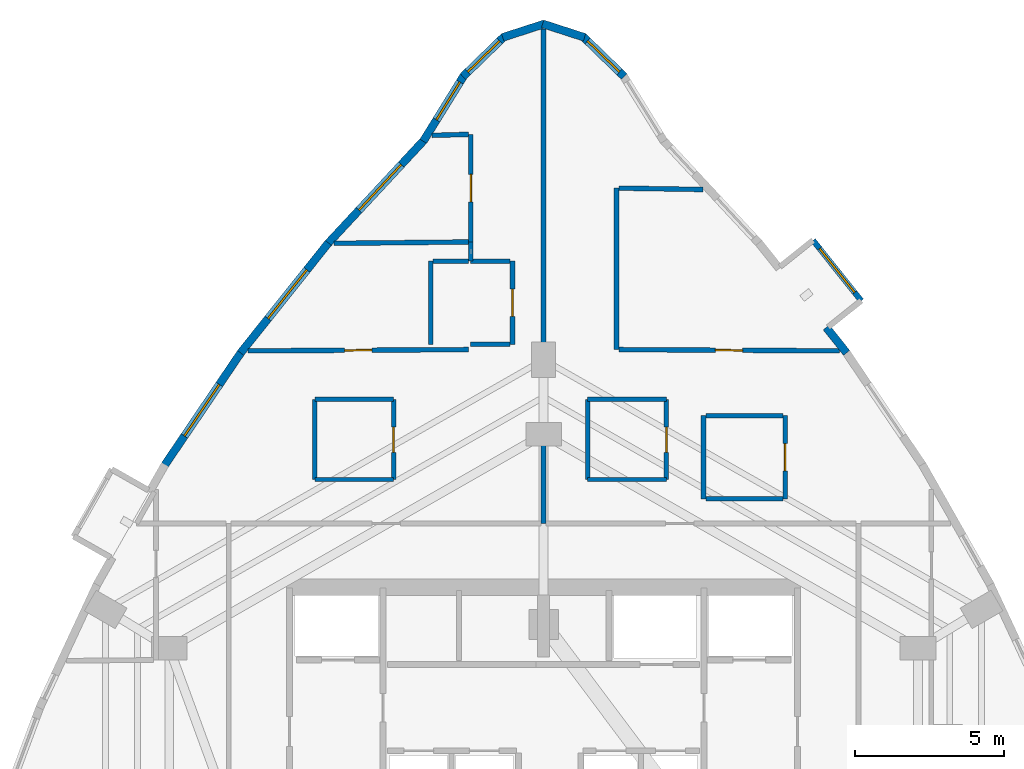
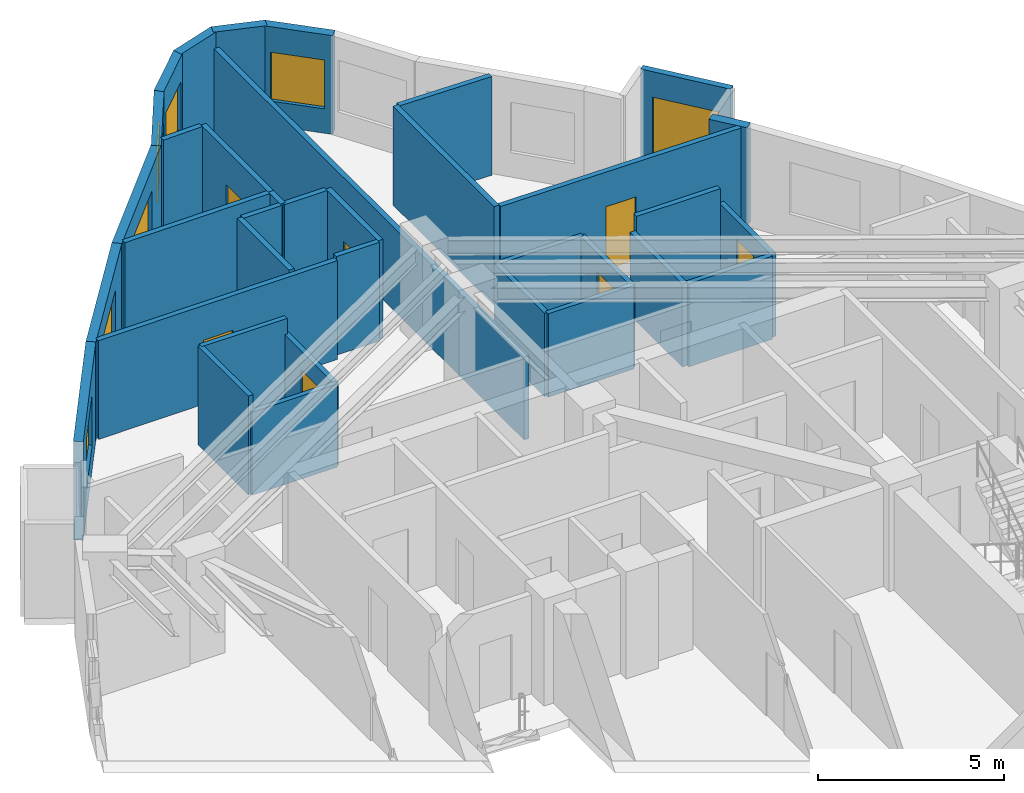
# One storey, part 10 of 12: 36 walls, 7 doors, 7 windows, 14 openings.
"""IFC4 building model written with IfcOpenShell, lengths in metres."""

from ifc_helpers import new_model, si_unit, direction, frame, frame_2d, origin, place, context, subcontext, project, spatial, rectangle, extrude, material, layer, layer_set, type_object, element, fill, save


model = new_model("IFC4")

# Units and contexts
model_context = context("Model", 3, precision=1e-05, world=origin(), true_north=direction((0.0, 1.0)))
body_context = subcontext(model_context, "Body", "Model", "MODEL_VIEW")
ifc_project = project(units=[si_unit("LENGTHUNIT", "METRE"), si_unit("AREAUNIT", "SQUARE_METRE"), si_unit("VOLUMEUNIT", "CUBIC_METRE"), si_unit("PLANEANGLEUNIT", "RADIAN"), si_unit("MASSUNIT", "GRAM", prefix="KILO")], contexts=[model_context])

# Site, building, storey
site_placement = place(None, origin())
site = spatial("IfcSite", under=ifc_project, at=site_placement, CompositionType="ELEMENT")
building_placement = place(site_placement, origin())
building = spatial("IfcBuilding", under=site, at=building_placement, Name="Miruveldt Soraemaru", CompositionType="ELEMENT")
storey_placement = place(building_placement, frame((0.0, 0.0, 110.89990234375)))
storey = spatial("IfcBuildingStorey", under=building, at=storey_placement, Name="L30", CompositionType="ELEMENT", Elevation=110.89990234375)

# Wall, opening, window
ifc_material_1 = material(Name="White powder-coated aluminium EN AW-6060 T6", Category="aluminium")
ifc_layer_1 = layer(ifc_material_1, 0.18994140625, Name="White powder-coated aluminium EN AW-6060 T6", Category="aluminium")
ifc_layer_set_1 = layer_set([ifc_layer_1], Name="White powder-coated aluminium EN AW-6060 T6")
wall_type_1 = type_object("IfcWallType", Name="WALL-BAY-ALU190", PredefinedType="SOLIDWALL", material=ifc_layer_set_1)
wall_1_placement = place(storey_placement, frame((54.690673828125, 62.099365234375, 0.0), z_axis=(0.0, 0.0, 1.0), x_axis=(-0.623606546405, 0.781738367538, 0.0)))
wall_1 = element("IfcWall", 1, at=wall_1_placement, inside=storey, type_object=wall_type_1, Name="L30 Bay Window Front Frame 3", PredefinedType="SOLIDWALL", context=body_context, shape_type="SweptSolid", body=[
    extrude(rectangle(XDim=2.599853515625, YDim=0.18994140625, at=frame_2d((1.2998046875, 0.0))), origin(), (0.0, 0.0, 1.0), 3.235107421875),
])
opening_1_placement = place(wall_1_placement, frame((0.35009765625, 0.0, 0.550048828125)))
opening_1 = element("IfcOpeningElement", 2, at=opening_1_placement, cuts=wall_1, Name="Opening WN-6", PredefinedType="OPENING", context=body_context, shape_type="SweptSolid", body=[
    extrude(rectangle(XDim=1.89990234375, YDim=1.85009765625, at=frame_2d((0.949951171875, 0.925048828125))), frame((0.0, 0.10498046875, 0.0), z_axis=(0.0, -1.0, 0.0), x_axis=(1.0, 0.0, 0.0)), (0.0, 0.0, 1.0), 0.2099609375),
])
ifc_material_2 = material(Name="Triple low-e insulated glazing", Category="glass")
window_type_1 = type_object("IfcWindowType", Name="WIN-BAYW-1900x1850", PartitioningType="SINGLE_PANEL", PredefinedType="WINDOW", material=ifc_material_2)
window_1_placement = place(opening_1_placement, origin())
window_1 = element("IfcWindow", 3, at=window_1_placement, inside=storey, type_object=window_type_1, Name="L30 Projecting Bay Window 3", OverallHeight=1.85009765625, OverallWidth=1.89990234375, PartitioningType="SINGLE_PANEL", PredefinedType="WINDOW", context=body_context, shape_type="SweptSolid", body=[
    extrude(rectangle(XDim=1.89990234375, YDim=1.85009765625, at=frame_2d((0.949951171875, 0.925048828125))), frame((0.0, 0.030029296875, 0.0), z_axis=(0.0, -1.0, 0.0), x_axis=(1.0, 0.0, 0.0)), (0.0, 0.0, 1.0), 0.06005859375),
])
fill(opening_1, window_1)

ifc_material_3 = material(Name="Precast concrete C45/55 (45 MPa)", Category="concrete")
ifc_layer_2 = layer(ifc_material_3, 0.27001953125, Name="Precast concrete C45/55 (45 MPa)", Category="concrete")
ifc_layer_set_2 = layer_set([ifc_layer_2], Name="Precast concrete C45/55 (45 MPa)")
wall_type_2 = type_object("IfcWallType", Name="WALL-EXT-PC270", PredefinedType="SOLIDWALL", material=ifc_layer_set_2)
wall_2_placement = place(storey_placement, frame((46.714111328125, 69.644775390625, 0.0), z_axis=(0.0, 0.0, 1.0), x_axis=(-0.717829983795, 0.696218438685, 0.0)))
wall_2 = element("IfcWall", 4, at=wall_2_placement, inside=storey, type_object=wall_type_2, Name="L30 Precast Concrete Facade Wall 2", PredefinedType="SOLIDWALL", context=body_context, shape_type="SweptSolid", body=[
    extrude(rectangle(XDim=1.943115234375, YDim=0.27001953125, at=frame_2d((0.9716796875, 0.0))), origin(), (0.0, 0.0, 1.0), 3.235107421875),
])
opening_2_placement = place(wall_2_placement, frame((0.220947265625, 0.0, 0.800048828125)))
opening_2 = element("IfcOpeningElement", 5, at=opening_2_placement, cuts=wall_2, Name="Opening WN-3", PredefinedType="OPENING", context=body_context, shape_type="SweptSolid", body=[
    extrude(rectangle(XDim=1.5, YDim=1.60009765625, at=frame_2d((0.75, 0.800048828125))), frame((0.0, 0.14501953125, 0.0), z_axis=(0.0, -1.0, 0.0), x_axis=(1.0, 0.0, 0.0)), (0.0, 0.0, 1.0), 0.2900390625),
])
window_type_2 = type_object("IfcWindowType", Name="WIN-PUNCH-1500x1600", PartitioningType="SINGLE_PANEL", PredefinedType="WINDOW", material=ifc_material_2)
window_2_placement = place(opening_2_placement, origin())
window_2 = element("IfcWindow", 6, at=window_2_placement, inside=storey, type_object=window_type_2, Name="L30 Punched Triple-Glazed Window 02.1", OverallHeight=1.60009765625, OverallWidth=1.5, PartitioningType="SINGLE_PANEL", PredefinedType="WINDOW", context=body_context, shape_type="SweptSolid", body=[
    extrude(rectangle(XDim=1.5, YDim=1.60009765625, at=frame_2d((0.75, 0.800048828125))), frame((0.0, 0.030029296875, 0.0), z_axis=(0.0, -1.0, 0.0), x_axis=(1.0, 0.0, 0.0)), (0.0, 0.0, 1.0), 0.06005859375),
])
fill(opening_2, window_2)

# Walls
for number, where, z_axis, x_axis, name in (
    (7, (45.377685546875, 70.96240234375, 0.0), (0.0, 0.0, 1.0), (-0.951477132561, 0.307719460245, 0.0), "L30 Precast Concrete Facade Wall 3"),
    (8, (44.033203125, 71.418701171875, 0.0), (0.0, 0.0, 1.0), (-0.951477132561, -0.307719460245, 0.0), "L30 Precast Concrete Facade Wall 4"),
):
    element("IfcWall", number, at=place(storey_placement, frame(where, z_axis=z_axis, x_axis=x_axis)), inside=storey, type_object=wall_type_2, Name=name, PredefinedType="SOLIDWALL", context=body_context, shape_type="SweptSolid", body=[
        extrude(rectangle(XDim=1.48291015625, YDim=0.27001953125, at=frame_2d((0.741455078125, 0.0))), origin(), (0.0, 0.0, 1.0), 3.235107421875),
    ])

# Wall, opening, window
wall_3_placement = place(storey_placement, frame((42.6806640625, 70.99755859375, 0.0), z_axis=(0.0, 0.0, 1.0), x_axis=(-0.717829983795, -0.696218438685, 0.0)))
wall_3 = element("IfcWall", 9, at=wall_3_placement, inside=storey, type_object=wall_type_2, Name="L30 Precast Concrete Facade Wall 5", PredefinedType="SOLIDWALL", context=body_context, shape_type="SweptSolid", body=[
    extrude(rectangle(XDim=1.943115234375, YDim=0.27001953125, at=frame_2d((0.9716796875, 0.0))), origin(), (0.0, 0.0, 1.0), 3.235107421875),
])
opening_3_placement = place(wall_3_placement, frame((0.220947265625, 0.0, 0.800048828125)))
opening_3 = element("IfcOpeningElement", 10, at=opening_3_placement, cuts=wall_3, Name="Opening WN-3", PredefinedType="OPENING", context=body_context, shape_type="SweptSolid", body=[
    extrude(rectangle(XDim=1.5, YDim=1.60009765625, at=frame_2d((0.75, 0.800048828125))), frame((0.0, 0.14501953125, 0.0), z_axis=(0.0, -1.0, 0.0), x_axis=(1.0, 0.0, 0.0)), (0.0, 0.0, 1.0), 0.2900390625),
])
window_3_placement = place(opening_3_placement, origin())
window_3 = element("IfcWindow", 11, at=window_3_placement, inside=storey, type_object=window_type_2, Name="L30 Punched Triple-Glazed Window 05.1", OverallHeight=1.60009765625, OverallWidth=1.5, PartitioningType="SINGLE_PANEL", PredefinedType="WINDOW", context=body_context, shape_type="SweptSolid", body=[
    extrude(rectangle(XDim=1.5, YDim=1.60009765625, at=frame_2d((0.75, 0.800048828125))), frame((0.0, 0.030029296875, 0.0), z_axis=(0.0, -1.0, 0.0), x_axis=(1.0, 0.0, 0.0)), (0.0, 0.0, 1.0), 0.06005859375),
])
fill(opening_3, window_3)

wall_4_placement = place(storey_placement, frame((41.329345703125, 69.698974609375, 0.0), z_axis=(0.0, 0.0, 1.0), x_axis=(-0.525989656502, -0.850490964827, 0.0)))
wall_4 = element("IfcWall", 12, at=wall_4_placement, inside=storey, type_object=wall_type_2, Name="L30 Precast Concrete Facade Wall 6", PredefinedType="SOLIDWALL", context=body_context, shape_type="SweptSolid", body=[
    extrude(rectangle(XDim=2.625732421875, YDim=0.27001953125, at=frame_2d((1.31298828125, 0.0))), origin(), (0.0, 0.0, 1.0), 3.235107421875),
])
opening_4_placement = place(wall_4_placement, frame((0.280029296875, 0.0, 0.800048828125)))
opening_4 = element("IfcOpeningElement", 13, at=opening_4_placement, cuts=wall_4, Name="Opening WN-3", PredefinedType="OPENING", context=body_context, shape_type="SweptSolid", body=[
    extrude(rectangle(XDim=1.5, YDim=1.60009765625, at=frame_2d((0.75, 0.800048828125))), frame((0.0, 0.14501953125, 0.0), z_axis=(0.0, -1.0, 0.0), x_axis=(1.0, 0.0, 0.0)), (0.0, 0.0, 1.0), 0.2900390625),
])
window_4_placement = place(opening_4_placement, origin())
window_4 = element("IfcWindow", 14, at=window_4_placement, inside=storey, type_object=window_type_2, Name="L30 Punched Triple-Glazed Window 06.1", OverallHeight=1.60009765625, OverallWidth=1.5, PartitioningType="SINGLE_PANEL", PredefinedType="WINDOW", context=body_context, shape_type="SweptSolid", body=[
    extrude(rectangle(XDim=1.5, YDim=1.60009765625, at=frame_2d((0.75, 0.800048828125))), frame((0.0, 0.030029296875, 0.0), z_axis=(0.0, -1.0, 0.0), x_axis=(1.0, 0.0, 0.0)), (0.0, 0.0, 1.0), 0.06005859375),
])
fill(opening_4, window_4)

wall_5_placement = place(storey_placement, frame((39.990478515625, 67.521240234375, 0.0), z_axis=(0.0, 0.0, 1.0), x_axis=(-0.680886087192, -0.732389333803, 0.0)))
wall_5 = element("IfcWall", 15, at=wall_5_placement, inside=storey, type_object=wall_type_2, Name="L30 Precast Concrete Facade Wall 7", PredefinedType="SOLIDWALL", context=body_context, shape_type="SweptSolid", body=[
    extrude(rectangle(XDim=4.82080078125, YDim=0.27001953125, at=frame_2d((2.410400390625, 0.0))), origin(), (0.0, 0.0, 1.0), 3.235107421875),
])
opening_5_placement = place(wall_5_placement, frame((1.14404296875, 0.0, 0.800048828125)))
opening_5 = element("IfcOpeningElement", 16, at=opening_5_placement, cuts=wall_5, Name="Opening WN-1", PredefinedType="OPENING", context=body_context, shape_type="SweptSolid", body=[
    extrude(rectangle(XDim=2.10009765625, YDim=1.699951171875, at=frame_2d((1.050048828125, 0.85009765625))), frame((0.0, 0.14501953125, 0.0), z_axis=(0.0, -1.0, 0.0), x_axis=(1.0, 0.0, 0.0)), (0.0, 0.0, 1.0), 0.2900390625),
])
window_type_3 = type_object("IfcWindowType", Name="WIN-PUNCH-2100x1700", PartitioningType="SINGLE_PANEL", PredefinedType="WINDOW", material=ifc_material_2)
window_5_placement = place(opening_5_placement, origin())
window_5 = element("IfcWindow", 17, at=window_5_placement, inside=storey, type_object=window_type_3, Name="L30 Punched Triple-Glazed Window 07.1", OverallHeight=1.699951171875, OverallWidth=2.10009765625, PartitioningType="SINGLE_PANEL", PredefinedType="WINDOW", context=body_context, shape_type="SweptSolid", body=[
    extrude(rectangle(XDim=2.10009765625, YDim=1.699951171875, at=frame_2d((1.050048828125, 0.85009765625))), frame((0.0, 0.030029296875, 0.0), z_axis=(0.0, -1.0, 0.0), x_axis=(1.0, 0.0, 0.0)), (0.0, 0.0, 1.0), 0.06005859375),
])
fill(opening_5, window_5)

wall_6_placement = place(storey_placement, frame((36.753662109375, 64.043701171875, 0.0), z_axis=(0.0, 0.0, 1.0), x_axis=(-0.62358791195, -0.78175323221, 0.0)))
wall_6 = element("IfcWall", 18, at=wall_6_placement, inside=storey, type_object=wall_type_2, Name="L30 Precast Concrete Facade Wall 8", PredefinedType="SOLIDWALL", context=body_context, shape_type="SweptSolid", body=[
    extrude(rectangle(XDim=4.735595703125, YDim=0.27001953125, at=frame_2d((2.36767578125, 0.0))), origin(), (0.0, 0.0, 1.0), 3.235107421875),
])
opening_6_placement = place(wall_6_placement, frame((1.158935546875, 0.0, 0.800048828125)))
opening_6 = element("IfcOpeningElement", 19, at=opening_6_placement, cuts=wall_6, Name="Opening WN-1", PredefinedType="OPENING", context=body_context, shape_type="SweptSolid", body=[
    extrude(rectangle(XDim=2.10009765625, YDim=1.699951171875, at=frame_2d((1.050048828125, 0.85009765625))), frame((0.0, 0.14501953125, 0.0), z_axis=(0.0, -1.0, 0.0), x_axis=(1.0, 0.0, 0.0)), (0.0, 0.0, 1.0), 0.2900390625),
])
window_6_placement = place(opening_6_placement, origin())
window_6 = element("IfcWindow", 20, at=window_6_placement, inside=storey, type_object=window_type_3, Name="L30 Punched Triple-Glazed Window 08.1", OverallHeight=1.699951171875, OverallWidth=2.10009765625, PartitioningType="SINGLE_PANEL", PredefinedType="WINDOW", context=body_context, shape_type="SweptSolid", body=[
    extrude(rectangle(XDim=2.10009765625, YDim=1.699951171875, at=frame_2d((1.050048828125, 0.85009765625))), frame((0.0, 0.030029296875, 0.0), z_axis=(0.0, -1.0, 0.0), x_axis=(1.0, 0.0, 0.0)), (0.0, 0.0, 1.0), 0.06005859375),
])
fill(opening_6, window_6)

wall_7_placement = place(storey_placement, frame((33.841796875, 60.39794921875, 0.0), z_axis=(0.0, 0.0, 1.0), x_axis=(-0.560815831127, -0.827940579726, 0.0)))
wall_7 = element("IfcWall", 21, at=wall_7_placement, inside=storey, type_object=wall_type_2, Name="L30 Precast Concrete Facade Wall 9", PredefinedType="SOLIDWALL", context=body_context, shape_type="SweptSolid", body=[
    extrude(rectangle(XDim=4.677734375, YDim=0.27001953125, at=frame_2d((2.3388671875, 0.0))), origin(), (0.0, 0.0, 1.0), 3.235107421875),
])
opening_7_placement = place(wall_7_placement, frame((1.346923828125, 0.0, 0.800048828125)))
opening_7 = element("IfcOpeningElement", 22, at=opening_7_placement, cuts=wall_7, Name="Opening WN-1", PredefinedType="OPENING", context=body_context, shape_type="SweptSolid", body=[
    extrude(rectangle(XDim=2.10009765625, YDim=1.699951171875, at=frame_2d((1.050048828125, 0.85009765625))), frame((0.0, 0.14501953125, 0.0), z_axis=(0.0, -1.0, 0.0), x_axis=(1.0, 0.0, 0.0)), (0.0, 0.0, 1.0), 0.2900390625),
])
window_7_placement = place(opening_7_placement, origin())
window_7 = element("IfcWindow", 23, at=window_7_placement, inside=storey, type_object=window_type_3, Name="L30 Punched Triple-Glazed Window 09.1", OverallHeight=1.699951171875, OverallWidth=2.10009765625, PartitioningType="SINGLE_PANEL", PredefinedType="WINDOW", context=body_context, shape_type="SweptSolid", body=[
    extrude(rectangle(XDim=2.10009765625, YDim=1.699951171875, at=frame_2d((1.050048828125, 0.85009765625))), frame((0.0, 0.030029296875, 0.0), z_axis=(0.0, -1.0, 0.0), x_axis=(1.0, 0.0, 0.0)), (0.0, 0.0, 1.0), 0.06005859375),
])
fill(opening_7, window_7)

# Wall
wall_8_placement = place(storey_placement, frame((54.199462890625, 60.341552734375, 0.0), z_axis=(0.0, 0.0, 1.0), x_axis=(-0.623609566666, 0.781735958213, 0.0)))
element("IfcWall", 24, at=wall_8_placement, inside=storey, type_object=wall_type_2, Name="L30 Precast Pier Wall 41A", PredefinedType="SOLIDWALL", context=body_context, shape_type="SweptSolid", body=[
    extrude(rectangle(XDim=1.09765625, YDim=0.27001953125, at=frame_2d((0.548828125, 0.0))), origin(), (0.0, 0.0, 1.0), 3.235107421875),
])

# Wall, opening, door
ifc_material_4 = material(Name="Gypsum plasterboard lining", Category="gypsum")
ifc_layer_3 = layer(ifc_material_4, 0.14990234375, Name="Gypsum plasterboard lining", Category="gypsum")
ifc_layer_set_3 = layer_set([ifc_layer_3], Name="Gypsum plasterboard lining")
wall_type_3 = type_object("IfcWallType", Name="WALL-INT-PLUMB", PredefinedType="PLUMBINGWALL", material=ifc_layer_set_3)
wall_9_placement = place(storey_placement, frame((38.952880859375, 56.080078125, 0.0), z_axis=(0.0, 0.0, 1.0), x_axis=(0.0, 1.0, 0.0)))
wall_9 = element("IfcWall", 25, at=wall_9_placement, inside=storey, type_object=wall_type_3, Name="L30 Partition Wall 9", PredefinedType="PLUMBINGWALL", context=body_context, shape_type="SweptSolid", body=[
    extrude(rectangle(XDim=2.699951171875, YDim=0.14990234375, at=frame_2d((1.35009765625, 0.0))), origin(), (0.0, 0.0, 1.0), 2.72314453125),
])
opening_8_placement = place(wall_9_placement, frame((0.909912109375, 0.0, 0.0)))
opening_8 = element("IfcOpeningElement", 26, at=opening_8_placement, cuts=wall_9, Name="Opening FD3", PredefinedType="OPENING", context=body_context, shape_type="SweptSolid", body=[
    extrude(rectangle(XDim=0.85009765625, YDim=2.10009765625, at=frame_2d((0.425048828125, 1.050048828125))), frame((0.0, 0.0849609375, 0.0), z_axis=(0.0, -1.0, 0.0), x_axis=(1.0, 0.0, 0.0)), (0.0, 0.0, 1.0), 0.169921875),
])
ifc_material_5 = material(Name="Anodised aluminium EN AW-6063 T6", Category="aluminium")
door_type_1 = type_object("IfcDoorType", Name="DOOR-FD3-850", OperationType="NOTDEFINED", PredefinedType="DOOR", material=ifc_material_5)
door_1_placement = place(opening_8_placement, origin())
door_1 = element("IfcDoor", 27, at=door_1_placement, inside=storey, type_object=door_type_1, Name="L30 Unit 3001 BTH Door", OperationType="SINGLE_SWING_RIGHT", OverallHeight=2.10009765625, OverallWidth=0.85009765625, PredefinedType="DOOR", context=body_context, shape_type="SweptSolid", body=[
    extrude(rectangle(XDim=0.85009765625, YDim=2.10009765625, at=frame_2d((0.425048828125, 1.050048828125))), frame((0.0, 0.02490234375, 0.0), z_axis=(0.0, -1.0, 0.0), x_axis=(1.0, 0.0, 0.0)), (0.0, 0.0, 1.0), 0.050048828125),
])
fill(opening_8, door_1)

wall_10_placement = place(storey_placement, frame((48.1298828125, 56.080078125, 0.0), z_axis=(0.0, 0.0, 1.0), x_axis=(0.0, 1.0, 0.0)))
wall_10 = element("IfcWall", 28, at=wall_10_placement, inside=storey, type_object=wall_type_3, Name="L30 Partition Wall 25", PredefinedType="PLUMBINGWALL", context=body_context, shape_type="SweptSolid", body=[
    extrude(rectangle(XDim=2.699951171875, YDim=0.14990234375, at=frame_2d((1.35009765625, 0.0))), origin(), (0.0, 0.0, 1.0), 2.72314453125),
])
opening_9_placement = place(wall_10_placement, frame((0.909912109375, 0.0, 0.0)))
opening_9 = element("IfcOpeningElement", 29, at=opening_9_placement, cuts=wall_10, Name="Opening FD3", PredefinedType="OPENING", context=body_context, shape_type="SweptSolid", body=[
    extrude(rectangle(XDim=0.85009765625, YDim=2.10009765625, at=frame_2d((0.425048828125, 1.050048828125))), frame((0.0, 0.0849609375, 0.0), z_axis=(0.0, -1.0, 0.0), x_axis=(1.0, 0.0, 0.0)), (0.0, 0.0, 1.0), 0.169921875),
])
door_2_placement = place(opening_9_placement, origin())
door_2 = element("IfcDoor", 30, at=door_2_placement, inside=storey, type_object=door_type_1, Name="L30 Unit 3002 BTH Door", OperationType="SINGLE_SWING_LEFT", OverallHeight=2.10009765625, OverallWidth=0.85009765625, PredefinedType="DOOR", context=body_context, shape_type="SweptSolid", body=[
    extrude(rectangle(XDim=0.85009765625, YDim=2.10009765625, at=frame_2d((0.425048828125, 1.050048828125))), frame((0.0, 0.02490234375, 0.0), z_axis=(0.0, -1.0, 0.0), x_axis=(1.0, 0.0, 0.0)), (0.0, 0.0, 1.0), 0.050048828125),
])
fill(opening_9, door_2)

# Walls
wall_11_placement = place(storey_placement, frame((36.302978515625, 58.780029296875, 0.0), z_axis=(0.0, 0.0, 1.0), x_axis=(0.0, -1.0, 0.0)))
element("IfcWall", 31, at=wall_11_placement, inside=storey, type_object=wall_type_3, Name="L30 Partition Wall 11", PredefinedType="PLUMBINGWALL", context=body_context, shape_type="SweptSolid", body=[
    extrude(rectangle(XDim=2.699951171875, YDim=0.14990234375, at=frame_2d((1.35009765625, 0.0))), origin(), (0.0, 0.0, 1.0), 3.235107421875),
])
wall_12_placement = place(storey_placement, frame((45.47998046875, 58.780029296875, 0.0), z_axis=(0.0, 0.0, 1.0), x_axis=(0.0, -1.0, 0.0)))
element("IfcWall", 32, at=wall_12_placement, inside=storey, type_object=wall_type_3, Name="L30 Partition Wall 27", PredefinedType="PLUMBINGWALL", context=body_context, shape_type="SweptSolid", body=[
    extrude(rectangle(XDim=2.699951171875, YDim=0.14990234375, at=frame_2d((1.35009765625, 0.0))), origin(), (0.0, 0.0, 1.0), 2.735107421875),
])
wall_13_placement = place(storey_placement, frame((38.952880859375, 58.780029296875, 0.0), z_axis=(0.0, 0.0, 1.0), x_axis=(-1.0, 0.0, 0.0)))
element("IfcWall", 33, at=wall_13_placement, inside=storey, type_object=wall_type_3, Name="L30 Partition Wall 10", PredefinedType="PLUMBINGWALL", context=body_context, shape_type="SweptSolid", body=[
    extrude(rectangle(XDim=2.64990234375, YDim=0.14990234375, at=frame_2d((1.324951171875, 0.0))), origin(), (0.0, 0.0, 1.0), 3.235107421875),
])
for number, where, z_axis, x_axis, name in (
    (34, (36.302978515625, 56.080078125, 0.0), (0.0, 0.0, 1.0), (1.0, 0.0, 0.0), "L30 Partition Wall 12"),
    (35, (48.1298828125, 58.780029296875, 0.0), (0.0, 0.0, 1.0), (-1.0, 0.0, 0.0), "L30 Partition Wall 26"),
):
    element("IfcWall", number, at=place(storey_placement, frame(where, z_axis=z_axis, x_axis=x_axis)), inside=storey, type_object=wall_type_3, Name=name, PredefinedType="PLUMBINGWALL", context=body_context, shape_type="SweptSolid", body=[
        extrude(rectangle(XDim=2.64990234375, YDim=0.14990234375, at=frame_2d((1.324951171875, 0.0))), origin(), (0.0, 0.0, 1.0), 2.72314453125),
    ])
wall_14_placement = place(storey_placement, frame((45.47998046875, 56.080078125, 0.0), z_axis=(0.0, 0.0, 1.0), x_axis=(1.0, 0.0, 0.0)))
element("IfcWall", 36, at=wall_14_placement, inside=storey, type_object=wall_type_3, Name="L30 Partition Wall 28", PredefinedType="PLUMBINGWALL", context=body_context, shape_type="SweptSolid", body=[
    extrude(rectangle(XDim=2.64990234375, YDim=0.14990234375, at=frame_2d((1.324951171875, 0.0))), origin(), (0.0, 0.0, 1.0), 2.735107421875),
])

# Wall, opening, door
ifc_material_6 = material(Name="Concrete C40/50 (40 MPa)", Category="concrete")
ifc_layer_4 = layer(ifc_material_6, 0.159912109375, Name="Concrete C40/50 (40 MPa)", Category="concrete")
ifc_layer_set_4 = layer_set([ifc_layer_4], Name="Concrete C40/50 (40 MPa)")
wall_type_4 = type_object("IfcWallType", Name="WALL-INT-RC160", PredefinedType="SOLIDWALL", material=ifc_layer_set_4)
wall_15_placement = place(storey_placement, frame((41.469970703125, 60.452880859375, 0.0), z_axis=(0.0, 0.0, 1.0), x_axis=(-0.999983245828, -0.005788615026, 0.0)))
wall_15 = element("IfcWall", 37, at=wall_15_placement, inside=storey, type_object=wall_type_4, Name="L30 Partition Wall 17", PredefinedType="SOLIDWALL", context=body_context, shape_type="SweptSolid", body=[
    extrude(rectangle(XDim=7.423095703125, YDim=0.159912109375, at=frame_2d((3.71142578125, 0.0))), origin(), (0.0, 0.0, 1.0), 3.235107421875),
])
opening_10_placement = place(wall_15_placement, frame((3.251953125, 0.0, 0.0)))
opening_10 = element("IfcOpeningElement", 38, at=opening_10_placement, cuts=wall_15, Name="Opening D3A", PredefinedType="OPENING", context=body_context, shape_type="SweptSolid", body=[
    extrude(rectangle(XDim=0.919921875, YDim=2.10009765625, at=frame_2d((0.4599609375, 1.050048828125))), frame((0.0, 0.08984375, 0.0), z_axis=(0.0, -1.0, 0.0), x_axis=(1.0, 0.0, 0.0)), (0.0, 0.0, 1.0), 0.179931640625),
])
door_type_2 = type_object("IfcDoorType", Name="DOOR-INT-920", OperationType="NOTDEFINED", PredefinedType="DOOR", material=ifc_material_5)
door_3_placement = place(opening_10_placement, origin())
door_3 = element("IfcDoor", 39, at=door_3_placement, inside=storey, type_object=door_type_2, Name="L30 Unit 3001 BD1 Door", OperationType="SINGLE_SWING_RIGHT", OverallHeight=2.10009765625, OverallWidth=0.919921875, PredefinedType="DOOR", context=body_context, shape_type="SweptSolid", body=[
    extrude(rectangle(XDim=0.919921875, YDim=2.10009765625, at=frame_2d((0.4599609375, 1.050048828125))), frame((0.0, 0.02490234375, 0.0), z_axis=(0.0, -1.0, 0.0), x_axis=(1.0, 0.0, 0.0)), (0.0, 0.0, 1.0), 0.050048828125),
])
fill(opening_10, door_3)

wall_16_placement = place(storey_placement, frame((53.952880859375, 60.409912109375, 0.0), z_axis=(0.0, 0.0, 1.0), x_axis=(-0.999983245828, 0.005788615026, 0.0)))
wall_16 = element("IfcWall", 40, at=wall_16_placement, inside=storey, type_object=wall_type_4, Name="L30 Partition Wall 33", PredefinedType="SOLIDWALL", context=body_context, shape_type="SweptSolid", body=[
    extrude(rectangle(XDim=7.423095703125, YDim=0.159912109375, at=frame_2d((3.71142578125, 0.0))), origin(), (0.0, 0.0, 1.0), 3.235107421875),
])
opening_11_placement = place(wall_16_placement, frame((3.251953125, 0.0, 0.0)))
opening_11 = element("IfcOpeningElement", 41, at=opening_11_placement, cuts=wall_16, Name="Opening D3A", PredefinedType="OPENING", context=body_context, shape_type="SweptSolid", body=[
    extrude(rectangle(XDim=0.919921875, YDim=2.10009765625, at=frame_2d((0.4599609375, 1.050048828125))), frame((0.0, 0.08984375, 0.0), z_axis=(0.0, -1.0, 0.0), x_axis=(1.0, 0.0, 0.0)), (0.0, 0.0, 1.0), 0.179931640625),
])
door_4_placement = place(opening_11_placement, origin())
door_4 = element("IfcDoor", 42, at=door_4_placement, inside=storey, type_object=door_type_2, Name="L30 Unit 3002 BD1 Door", OperationType="SINGLE_SWING_LEFT", OverallHeight=2.10009765625, OverallWidth=0.919921875, PredefinedType="DOOR", context=body_context, shape_type="SweptSolid", body=[
    extrude(rectangle(XDim=0.919921875, YDim=2.10009765625, at=frame_2d((0.4599609375, 1.050048828125))), frame((0.0, 0.02490234375, 0.0), z_axis=(0.0, -1.0, 0.0), x_axis=(1.0, 0.0, 0.0)), (0.0, 0.0, 1.0), 0.050048828125),
])
fill(opening_11, door_4)

wall_17_placement = place(storey_placement, frame((41.550048828125, 67.699951171875, 0.0), z_axis=(0.0, 0.0, 1.0), x_axis=(0.0, -1.0, 0.0)))
wall_17 = element("IfcWall", 43, at=wall_17_placement, inside=storey, type_object=wall_type_4, Name="L30 Partition Wall 19", PredefinedType="SOLIDWALL", context=body_context, shape_type="SweptSolid", body=[
    extrude(rectangle(XDim=3.623046875, YDim=0.159912109375, at=frame_2d((1.8115234375, 0.0))), origin(), (0.0, 0.0, 1.0), 3.235107421875),
])
opening_12_placement = place(wall_17_placement, frame((1.35205078125, 0.0, 0.0)))
opening_12 = element("IfcOpeningElement", 44, at=opening_12_placement, cuts=wall_17, Name="Opening D3A", PredefinedType="OPENING", context=body_context, shape_type="SweptSolid", body=[
    extrude(rectangle(XDim=0.919921875, YDim=2.10009765625, at=frame_2d((0.4599609375, 1.050048828125))), frame((0.0, 0.08984375, 0.0), z_axis=(0.0, -1.0, 0.0), x_axis=(1.0, 0.0, 0.0)), (0.0, 0.0, 1.0), 0.179931640625),
])
door_5_placement = place(opening_12_placement, origin())
door_5 = element("IfcDoor", 45, at=door_5_placement, inside=storey, type_object=door_type_2, Name="L30 Unit 3001 BD2 Door", OperationType="SINGLE_SWING_LEFT", OverallHeight=2.10009765625, OverallWidth=0.919921875, PredefinedType="DOOR", context=body_context, shape_type="SweptSolid", body=[
    extrude(rectangle(XDim=0.919921875, YDim=2.10009765625, at=frame_2d((0.4599609375, 1.050048828125))), frame((0.0, 0.02490234375, 0.0), z_axis=(0.0, -1.0, 0.0), x_axis=(1.0, 0.0, 0.0)), (0.0, 0.0, 1.0), 0.050048828125),
])
fill(opening_12, door_5)

wall_18_placement = place(storey_placement, frame((42.952880859375, 60.6298828125, 0.0), z_axis=(0.0, 0.0, 1.0), x_axis=(0.0, 1.0, 0.0)))
wall_18 = element("IfcWall", 46, at=wall_18_placement, inside=storey, type_object=wall_type_4, Name="L30 Partition Wall 13", PredefinedType="SOLIDWALL", context=body_context, shape_type="SweptSolid", body=[
    extrude(rectangle(XDim=2.800048828125, YDim=0.159912109375, at=frame_2d((1.39990234375, 0.0))), origin(), (0.0, 0.0, 1.0), 3.235107421875),
])
opening_13_placement = place(wall_18_placement, frame((0.93994140625, 0.0, 0.0)))
opening_13 = element("IfcOpeningElement", 47, at=opening_13_placement, cuts=wall_18, Name="Opening D3A", PredefinedType="OPENING", context=body_context, shape_type="SweptSolid", body=[
    extrude(rectangle(XDim=0.919921875, YDim=2.10009765625, at=frame_2d((0.4599609375, 1.050048828125))), frame((0.0, 0.08984375, 0.0), z_axis=(0.0, -1.0, 0.0), x_axis=(1.0, 0.0, 0.0)), (0.0, 0.0, 1.0), 0.179931640625),
])
door_6_placement = place(opening_13_placement, origin())
door_6 = element("IfcDoor", 48, at=door_6_placement, inside=storey, type_object=door_type_2, Name="L30 Unit 3001 KIT Door", OperationType="SINGLE_SWING_LEFT", OverallHeight=2.10009765625, OverallWidth=0.919921875, PredefinedType="DOOR", context=body_context, shape_type="SweptSolid", body=[
    extrude(rectangle(XDim=0.919921875, YDim=2.10009765625, at=frame_2d((0.4599609375, 1.050048828125))), frame((0.0, 0.02490234375, 0.0), z_axis=(0.0, -1.0, 0.0), x_axis=(1.0, 0.0, 0.0)), (0.0, 0.0, 1.0), 0.050048828125),
])
fill(opening_13, door_6)

wall_19_placement = place(storey_placement, frame((52.1298828125, 55.429931640625, 0.0), z_axis=(0.0, 0.0, 1.0), x_axis=(0.0, 1.0, 0.0)))
wall_19 = element("IfcWall", 49, at=wall_19_placement, inside=storey, type_object=wall_type_4, Name="L30 Partition Wall 29", PredefinedType="SOLIDWALL", context=body_context, shape_type="SweptSolid", body=[
    extrude(rectangle(XDim=2.800048828125, YDim=0.159912109375, at=frame_2d((1.39990234375, 0.0))), origin(), (0.0, 0.0, 1.0), 2.72314453125),
])
opening_14_placement = place(wall_19_placement, frame((0.93994140625, 0.0, 0.0)))
opening_14 = element("IfcOpeningElement", 50, at=opening_14_placement, cuts=wall_19, Name="Opening D3A", PredefinedType="OPENING", context=body_context, shape_type="SweptSolid", body=[
    extrude(rectangle(XDim=0.919921875, YDim=2.10009765625, at=frame_2d((0.4599609375, 1.050048828125))), frame((0.0, 0.08984375, 0.0), z_axis=(0.0, -1.0, 0.0), x_axis=(1.0, 0.0, 0.0)), (0.0, 0.0, 1.0), 0.179931640625),
])
door_7_placement = place(opening_14_placement, origin())
door_7 = element("IfcDoor", 51, at=door_7_placement, inside=storey, type_object=door_type_2, Name="L30 Unit 3002 KIT Door", OperationType="SINGLE_SWING_RIGHT", OverallHeight=2.10009765625, OverallWidth=0.919921875, PredefinedType="DOOR", context=body_context, shape_type="SweptSolid", body=[
    extrude(rectangle(XDim=0.919921875, YDim=2.10009765625, at=frame_2d((0.4599609375, 1.050048828125))), frame((0.0, 0.02490234375, 0.0), z_axis=(0.0, -1.0, 0.0), x_axis=(1.0, 0.0, 0.0)), (0.0, 0.0, 1.0), 0.050048828125),
])
fill(opening_14, door_7)

# Walls
wall_20_placement = place(storey_placement, frame((44.0, 54.60009765625, 0.0), z_axis=(0.0, 0.0, 1.0), x_axis=(0.0, 1.0, 0.0)))
element("IfcWall", 52, at=wall_20_placement, inside=storey, type_object=wall_type_4, Name="L30 Partition Wall 20", PredefinedType="SOLIDWALL", context=body_context, shape_type="SweptSolid", body=[
    extrude(rectangle(XDim=16.64990234375, YDim=0.159912109375, at=frame_2d((8.324951171875, 0.0))), origin(), (0.0, 0.0, 1.0), 2.72314453125),
])
wall_21_placement = place(storey_placement, frame((46.449951171875, 60.452880859375, 0.0), z_axis=(0.0, 0.0, 1.0), x_axis=(0.0, 1.0, 0.0)))
element("IfcWall", 53, at=wall_21_placement, inside=storey, type_object=wall_type_4, Name="L30 Partition Wall 34", PredefinedType="SOLIDWALL", context=body_context, shape_type="SweptSolid", body=[
    extrude(rectangle(XDim=5.43603515625, YDim=0.159912109375, at=frame_2d((2.718017578125, 0.0))), origin(), (0.0, 0.0, 1.0), 3.235107421875),
])
wall_22_placement = place(storey_placement, frame((41.469970703125, 64.075927734375, 0.0), z_axis=(0.0, 0.0, 1.0), x_axis=(-0.999946253611, -0.010367733054, 0.0)))
element("IfcWall", 54, at=wall_22_placement, inside=storey, type_object=wall_type_4, Name="L30 Partition Wall 24", PredefinedType="SOLIDWALL", context=body_context, shape_type="SweptSolid", body=[
    extrude(rectangle(XDim=4.521240234375, YDim=0.159912109375, at=frame_2d((2.2607421875, 0.0))), origin(), (0.0, 0.0, 1.0), 3.235107421875),
])
wall_23_placement = place(storey_placement, frame((46.530029296875, 65.887939453125, 0.0), z_axis=(0.0, 0.0, 1.0), x_axis=(0.999863519285, -0.016520980697, 0.0)))
element("IfcWall", 55, at=wall_23_placement, inside=storey, type_object=wall_type_4, Name="L30 Partition Wall 35", PredefinedType="SOLIDWALL", context=body_context, shape_type="SweptSolid", body=[
    extrude(rectangle(XDim=2.83740234375, YDim=0.159912109375, at=frame_2d((1.418701171875, 0.0))), origin(), (0.0, 0.0, 1.0), 3.235107421875),
])
wall_24_placement = place(storey_placement, frame((40.202880859375, 63.429931640625, 0.0), z_axis=(0.0, 0.0, 1.0), x_axis=(0.0, -1.0, 0.0)))
element("IfcWall", 56, at=wall_24_placement, inside=storey, type_object=wall_type_4, Name="L30 Partition Wall 23", PredefinedType="SOLIDWALL", context=body_context, shape_type="SweptSolid", body=[
    extrude(rectangle(XDim=2.800048828125, YDim=0.159912109375, at=frame_2d((1.39990234375, 0.0))), origin(), (0.0, 0.0, 1.0), 3.235107421875),
])
wall_25_placement = place(storey_placement, frame((49.3798828125, 58.22998046875, 0.0), z_axis=(0.0, 0.0, 1.0), x_axis=(0.0, -1.0, 0.0)))
element("IfcWall", 57, at=wall_25_placement, inside=storey, type_object=wall_type_4, Name="L30 Partition Wall 31", PredefinedType="SOLIDWALL", context=body_context, shape_type="SweptSolid", body=[
    extrude(rectangle(XDim=2.800048828125, YDim=0.159912109375, at=frame_2d((1.39990234375, 0.0))), origin(), (0.0, 0.0, 1.0), 2.72314453125),
])
wall_26_placement = place(storey_placement, frame((52.050048828125, 58.22998046875, 0.0), z_axis=(0.0, 0.0, 1.0), x_axis=(-1.0, 0.0, 0.0)))
element("IfcWall", 58, at=wall_26_placement, inside=storey, type_object=wall_type_4, Name="L30 Partition Wall 30", PredefinedType="SOLIDWALL", context=body_context, shape_type="SweptSolid", body=[
    extrude(rectangle(XDim=2.590087890625, YDim=0.159912109375, at=frame_2d((1.294921875, 0.0))), origin(), (0.0, 0.0, 1.0), 3.235107421875),
])
wall_27_placement = place(storey_placement, frame((49.4599609375, 55.429931640625, 0.0), z_axis=(0.0, 0.0, 1.0), x_axis=(1.0, 0.0, 0.0)))
element("IfcWall", 59, at=wall_27_placement, inside=storey, type_object=wall_type_4, Name="L30 Partition Wall 32", PredefinedType="SOLIDWALL", context=body_context, shape_type="SweptSolid", body=[
    extrude(rectangle(XDim=2.590087890625, YDim=0.159912109375, at=frame_2d((1.294921875, 0.0))), origin(), (0.0, 0.0, 1.0), 2.72314453125),
])
for number, where, z_axis, x_axis, name in (
    (60, (42.873046875, 63.429931640625, 0.0), (0.0, 0.0, 1.0), (-1.0, 0.0, 0.0), "L30 Partition Wall 14"),
    (61, (41.5400390625, 60.6298828125, 0.0), (0.0, 0.0, 1.0), (1.0, 0.0, 0.0), "L30 Partition Wall 15"),
):
    element("IfcWall", number, at=place(storey_placement, frame(where, z_axis=z_axis, x_axis=x_axis)), inside=storey, type_object=wall_type_4, Name=name, PredefinedType="SOLIDWALL", context=body_context, shape_type="SweptSolid", body=[
        extrude(rectangle(XDim=1.3330078125, YDim=0.159912109375, at=frame_2d((0.66650390625, 0.0))), origin(), (0.0, 0.0, 1.0), 3.235107421875),
    ])
wall_28_placement = place(storey_placement, frame((40.2470703125, 67.6630859375, 0.0), z_axis=(0.0, 0.0, 1.0), x_axis=(0.999592737292, 0.028536985712, 0.0)))
element("IfcWall", 62, at=wall_28_placement, inside=storey, type_object=wall_type_4, Name="L30 Partition Wall 18", PredefinedType="SOLIDWALL", context=body_context, shape_type="SweptSolid", body=[
    extrude(rectangle(XDim=1.223388671875, YDim=0.159912109375, at=frame_2d((0.61181640625, 0.0))), origin(), (0.0, 0.0, 1.0), 3.235107421875),
])
wall_29_placement = place(storey_placement, frame((41.469970703125, 63.429931640625, 0.0), z_axis=(0.0, 0.0, 1.0), x_axis=(-1.0, 0.0, 0.0)))
element("IfcWall", 63, at=wall_29_placement, inside=storey, type_object=wall_type_4, Name="L30 Partition Wall 22", PredefinedType="SOLIDWALL", context=body_context, shape_type="SweptSolid", body=[
    extrude(rectangle(XDim=1.18701171875, YDim=0.159912109375, at=frame_2d((0.593505859375, 0.0))), origin(), (0.0, 0.0, 1.0), 3.235107421875),
])
wall_30_placement = place(storey_placement, frame((41.550048828125, 64.076904296875, 0.0), z_axis=(0.0, 0.0, 1.0), x_axis=(0.0, -1.0, 0.0)))
element("IfcWall", 64, at=wall_30_placement, inside=storey, type_object=wall_type_4, Name="L30 Partition Wall 16", PredefinedType="SOLIDWALL", context=body_context, shape_type="SweptSolid", body=[
    extrude(rectangle(XDim=0.64697265625, YDim=0.159912109375, at=frame_2d((0.323486328125, 0.0))), origin(), (0.0, 0.0, 1.0), 3.235107421875),
])

save(model, "model.ifc")
